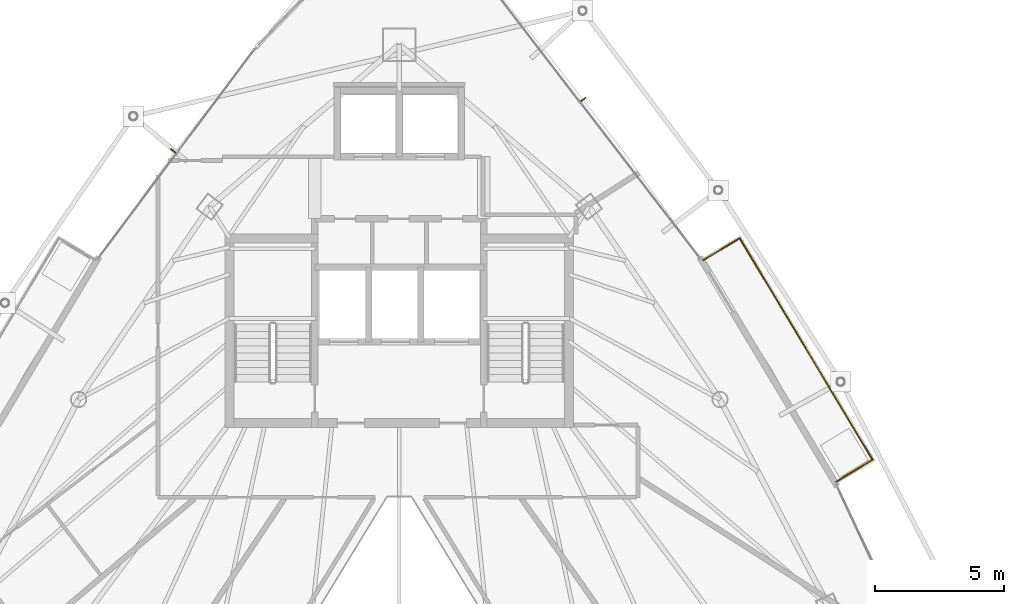
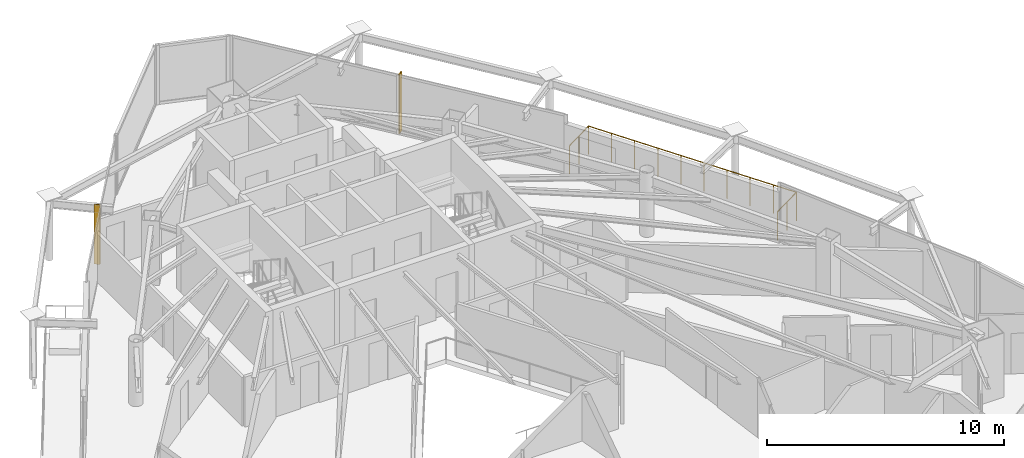
# One storey, part 33 of 33: 2 shading devices, 1 railing.
"""IFC4 building model written with IfcOpenShell, lengths in metres."""

from ifc_helpers import new_model, si_unit, direction, frame, origin, origin_2d, place, context, subcontext, project, spatial, rectangle, circle, extrude, material, layer, layer_set, type_object, element, save


model = new_model("IFC4")

# Units and contexts
model_context = context("Model", 3, precision=1e-05, world=origin(), true_north=direction((0.0, 1.0)))
body_context = subcontext(model_context, "Body", "Model", "MODEL_VIEW")
ifc_project = project(units=[si_unit("LENGTHUNIT", "METRE"), si_unit("AREAUNIT", "SQUARE_METRE"), si_unit("VOLUMEUNIT", "CUBIC_METRE"), si_unit("PLANEANGLEUNIT", "RADIAN"), si_unit("MASSUNIT", "GRAM", prefix="KILO")], contexts=[model_context])

# Site, building, storey
site_placement = place(None, origin())
site = spatial("IfcSite", under=ifc_project, at=site_placement, CompositionType="ELEMENT")
building_placement = place(site_placement, origin())
building = spatial("IfcBuilding", under=site, at=building_placement, Name="Orvanel Arch Residences", CompositionType="ELEMENT")
storey_placement = place(building_placement, frame((0.0, 0.0, 212.89990234375)))
storey = spatial("IfcBuildingStorey", under=building, at=storey_placement, Name="L60", CompositionType="ELEMENT", Elevation=212.89990234375)

# Shading devices
ifc_material = material(Name="Bronze-anodised aluminium AA6063-T6", Category="aluminium")
ifc_layer = layer(ifc_material, 0.050048828125)
ifc_layer_set = layer_set([ifc_layer], Name="Bronze-anodised aluminium AA6063-T6")
shading_device_type = type_object("IfcShadingDeviceType", Name="FIN-BRZ-260", PredefinedType="USERDEFINED", material=ifc_layer_set)
for number, where, z_axis, x_axis, name in (
    (1, (24.243896484375, 37.27294921875, 0.0), (0.0, 0.0, 1.0), (-0.800731370949, 0.599023598516, 0.0), "L60 Anodised Bronze Mullion FIN 01"),
    (2, (40.1298828125, 39.26611328125, 0.0), (0.0, 0.0, 1.0), (0.792289643355, 0.610145163901, 0.0), "L60 Anodised Bronze Mullion FIN 01"),
):
    element("IfcShadingDevice", number, at=place(storey_placement, frame(where, z_axis=z_axis, x_axis=x_axis)), inside=storey, type_object=shading_device_type, Name=name, ObjectType="FIN", PredefinedType="USERDEFINED", context=body_context, shape_type="SweptSolid", body=[
        extrude(rectangle(XDim=0.260009765625, YDim=0.050048828125, at=origin_2d()), origin(), (0.0, 0.0, 1.0), 3.06005859375),
    ])

# Railing
railing_type = type_object("IfcRailingType", Name="RL-BAL-1480", PredefinedType="BALUSTRADE", material=ifc_material)
railing_placement = place(storey_placement, frame((49.94189453125, 24.4580078125, 0.0)))
element("IfcRailing", 3, at=railing_placement, inside=storey, type_object=railing_type, Name="L60 Balcony Perimeter Guardrail Face 3", PredefinedType="BALUSTRADE", context=body_context, shape_type="SweptSolid", body=[
    extrude(circle(Radius=0.02392578125, at=origin_2d()), frame((0.001220703125, 0.000732421875, 1.4560546875), z_axis=(0.857584807373, 0.514342588322, 0.0), x_axis=(-0.514342588322, 0.857584807373, 0.0)), (0.0, 0.0, 1.0), 1.637939453125),
    extrude(circle(Radius=0.02392578125, at=origin_2d()), frame((1.406494140625, 0.84521484375, 1.4560546875), z_axis=(-0.514467079564, 0.857510130579, 0.0), x_axis=(-0.857510130579, -0.514467079564, 0.0)), (0.0, 0.0, 1.0), 10.013427734375),
    extrude(circle(Radius=0.02392578125, at=origin_2d()), frame((-3.7470703125, 9.432373046875, 1.4560546875), z_axis=(-0.857387817543, -0.514670895164, 0.0), x_axis=(0.514670895164, -0.857387817543, 0.0)), (0.0, 0.0, 1.0), 1.636962890625),
    extrude(circle(Radius=0.02099609375, at=origin_2d()), origin(), (0.0, 0.0, 1.0), 1.429931640625),
    extrude(circle(Radius=0.02099609375, at=origin_2d()), frame((0.70361328125, 0.421875, 0.0)), (0.0, 0.0, 1.0), 1.429931640625),
    extrude(circle(Radius=0.02099609375, at=origin_2d()), frame((1.4072265625, 0.843994140625, 0.0)), (0.0, 0.0, 1.0), 1.429931640625),
    extrude(circle(Radius=0.02099609375, at=origin_2d()), frame((0.834716796875, 1.79833984375, 0.0)), (0.0, 0.0, 1.0), 1.429931640625),
    extrude(circle(Radius=0.02099609375, at=origin_2d()), frame((0.26220703125, 2.752685546875, 0.0)), (0.0, 0.0, 1.0), 1.429931640625),
    extrude(circle(Radius=0.02099609375, at=origin_2d()), frame((-0.310546875, 3.70703125, 0.0)), (0.0, 0.0, 1.0), 1.429931640625),
    extrude(circle(Radius=0.02099609375, at=origin_2d()), frame((-0.883056640625, 4.661376953125, 0.0)), (0.0, 0.0, 1.0), 1.429931640625),
    extrude(circle(Radius=0.02099609375, at=origin_2d()), frame((-1.45556640625, 5.61572265625, 0.0)), (0.0, 0.0, 1.0), 1.429931640625),
    extrude(circle(Radius=0.02099609375, at=origin_2d()), frame((-2.028076171875, 6.570068359375, 0.0)), (0.0, 0.0, 1.0), 1.429931640625),
    extrude(circle(Radius=0.02099609375, at=origin_2d()), frame((-2.600830078125, 7.5244140625, 0.0)), (0.0, 0.0, 1.0), 1.429931640625),
    extrude(circle(Radius=0.02099609375, at=origin_2d()), frame((-3.17333984375, 8.478759765625, 0.0)), (0.0, 0.0, 1.0), 1.429931640625),
    extrude(circle(Radius=0.02099609375, at=origin_2d()), frame((-3.745849609375, 9.43310546875, 0.0)), (0.0, 0.0, 1.0), 1.429931640625),
    extrude(circle(Radius=0.02099609375, at=origin_2d()), frame((-4.44873046875, 9.01123046875, 0.0)), (0.0, 0.0, 1.0), 1.429931640625),
    extrude(circle(Radius=0.02099609375, at=origin_2d()), frame((-5.15185546875, 8.589111328125, 0.0)), (0.0, 0.0, 1.0), 1.429931640625),
])

save(model, "model.ifc")
